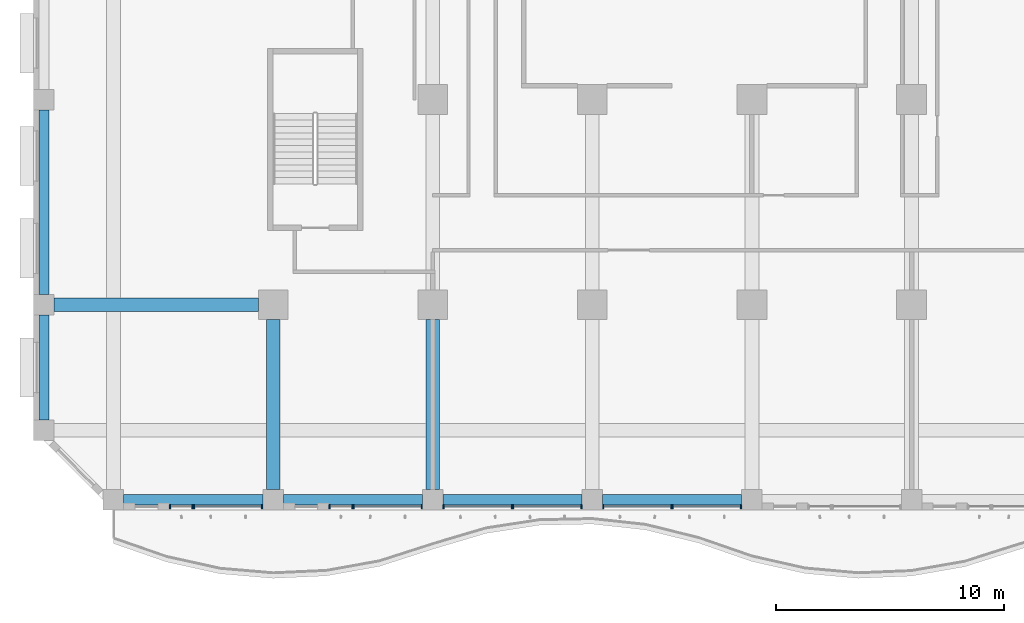
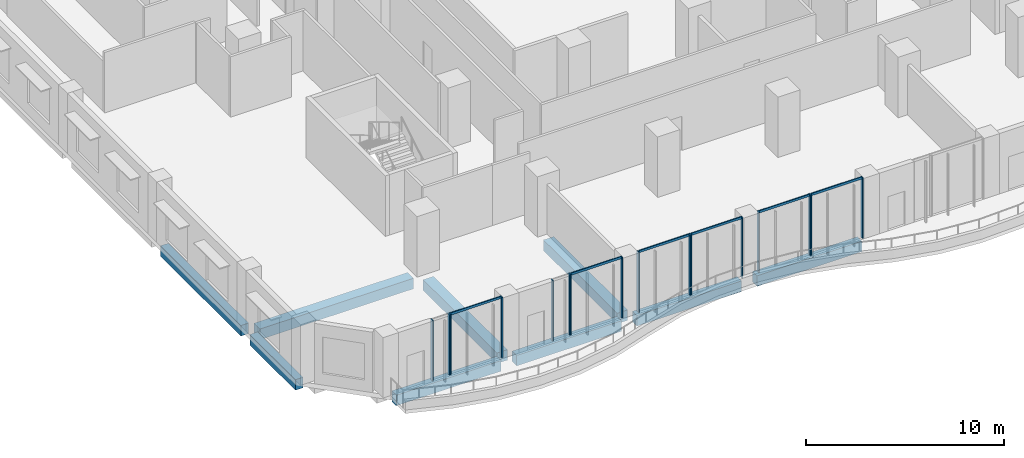
# One storey, part 2 of 27: 22 members, 9 beams, 8 elements without a shape of their own.
"""IFC4 building model written with IfcOpenShell, lengths in metres."""

from ifc_helpers import new_model, si_unit, direction, frame, origin, origin_2d, place, context, subcontext, project, spatial, rectangle, extrude, source, transform, mapped, material, material_profile, profile_set, type_object, element, aggregate, save


model = new_model("IFC4")

# Units and contexts
model_context = context("Model", 3, precision=1e-05, world=origin(), true_north=direction((0.0, 1.0)))
body_context = subcontext(model_context, "Body", "Model", "MODEL_VIEW")
ifc_project = project(units=[si_unit("LENGTHUNIT", "METRE"), si_unit("AREAUNIT", "SQUARE_METRE"), si_unit("VOLUMEUNIT", "CUBIC_METRE"), si_unit("PLANEANGLEUNIT", "RADIAN"), si_unit("MASSUNIT", "GRAM", prefix="KILO")], contexts=[model_context])

# Site, building, storey
site_placement = place(None, origin())
site = spatial("IfcSite", under=ifc_project, at=site_placement, CompositionType="ELEMENT")
building_placement = place(site_placement, origin())
building = spatial("IfcBuilding", under=site, at=building_placement, Name="Kilnfold Tower and Market Hall", CompositionType="ELEMENT")
storey_placement = place(building_placement, frame((0.0, 0.0, 47.0)))
storey = spatial("IfcBuildingStorey", under=building, at=storey_placement, Name="L10", CompositionType="ELEMENT", Elevation=47.0)

# Beams
ifc_material_1 = material(Name="Concrete C45", Category="concrete")
ifc_material_profile_1 = material_profile(ifc_material_1, rectangle(XDim=0.449951171875, YDim=0.64990234375, at=origin_2d()), Name="RC 450x650")
ifc_profile_set_1 = profile_set([ifc_material_profile_1], Name="Concrete C45")
beam_type_1 = type_object("IfcBeamType", Name="EDGE BEAM 450X650 C45", PredefinedType="BEAM", material=ifc_profile_set_1)
shared_shape_1 = source(origin(), body_context, "Body", "SweptSolid", [
    extrude(rectangle(XDim=0.449951171875, YDim=0.64990234375, at=origin_2d()), origin(), (0.0, 0.0, 1.0), 6.10009765625),
])
for number, where, z_axis, x_axis, name in (
    (1, (-24.050048828125, -27.550048828125, -0.60498046875), (1.0, 0.0, 0.0), (0.0, 1.0, 0.0), "Beam EB650-B1.1"),
    (2, (-17.050048828125, -27.550048828125, -0.60498046875), (1.0, 0.0, 0.0), (0.0, 1.0, 0.0), "Beam EB650-B1.54"),
    (3, (-10.050048828125, -27.550048828125, -0.60498046875), (1.0, 0.0, 0.0), (0.0, 1.0, 0.0), "Beam EB650-B1.2"),
    (4, (-3.050048828125, -27.550048828125, -0.60498046875), (1.0, 0.0, 0.0), (0.0, 1.0, 0.0), "Beam EB650-B1.3"),
):
    element("IfcBeam", number, at=place(storey_placement, frame(where, z_axis=z_axis, x_axis=x_axis)), inside=storey, type_object=beam_type_1, Name=name, PredefinedType="BEAM", context=body_context, shape_type="MappedRepresentation", body=[
        mapped(shared_shape_1, transform((0.0, 0.0, 0.0))),
    ])
ifc_material_2 = material(Name="Concrete C45", Category="concrete")
ifc_material_profile_2 = material_profile(ifc_material_2, rectangle(XDim=0.60009765625, YDim=0.64990234375, at=origin_2d()), Name="RC 600x650")
ifc_profile_set_2 = profile_set([ifc_material_profile_2], Name="Concrete C45")
beam_type_2 = type_object("IfcBeamType", Name="BEAM 600X650 C45", PredefinedType="BEAM", material=ifc_profile_set_2)
shared_shape_2 = source(origin(), body_context, "Body", "SweptSolid", [
    extrude(rectangle(XDim=0.60009765625, YDim=0.64990234375, at=origin_2d()), origin(), (0.0, 0.0, 1.0), 8.9501953125),
])
beam_1_placement = place(storey_placement, frame((-27.10009765625, -19.0, -0.60498046875), z_axis=(1.0, 0.0, 0.0), x_axis=(0.0, 1.0, 0.0)))
element("IfcBeam", 5, at=beam_1_placement, inside=storey, type_object=beam_type_2, Name="Beam BB650-B1.7", PredefinedType="BEAM", context=body_context, shape_type="MappedRepresentation", body=[
    mapped(shared_shape_2, transform((0.0, 0.0, 0.0))),
])
shared_shape_3 = source(origin(), body_context, "Body", "SweptSolid", [
    extrude(rectangle(XDim=0.449951171875, YDim=0.64990234375, at=origin_2d()), origin(), (0.0, 0.0, 1.0), 4.60009765625),
])
beam_2_placement = place(storey_placement, frame((-27.550048828125, -24.050048828125, -0.60498046875), z_axis=(0.0, 1.0, 0.0), x_axis=(-1.0, 0.0, 0.0)))
element("IfcBeam", 6, at=beam_2_placement, inside=storey, type_object=beam_type_1, Name="Beam EB650-B1.30", PredefinedType="BEAM", context=body_context, shape_type="MappedRepresentation", body=[
    mapped(shared_shape_3, transform((0.0, 0.0, 0.0))),
])
shared_shape_4 = source(origin(), body_context, "Body", "SweptSolid", [
    extrude(rectangle(XDim=0.449951171875, YDim=0.64990234375, at=origin_2d()), origin(), (0.0, 0.0, 1.0), 8.10009765625),
])
beam_3_placement = place(storey_placement, frame((-27.550048828125, -18.550048828125, -0.60498046875), z_axis=(0.0, 1.0, 0.0), x_axis=(-1.0, 0.0, 0.0)))
element("IfcBeam", 7, at=beam_3_placement, inside=storey, type_object=beam_type_1, Name="Beam EB650-B1.31", PredefinedType="BEAM", context=body_context, shape_type="MappedRepresentation", body=[
    mapped(shared_shape_4, transform((0.0, 0.0, 0.0))),
])
shared_shape_5 = source(origin(), body_context, "Body", "SweptSolid", [
    extrude(rectangle(XDim=0.60009765625, YDim=0.64990234375, at=origin_2d()), origin(), (0.0, 0.0, 1.0), 7.4501953125),
])
for number, where, z_axis, x_axis, name in (
    (8, (-17.5, -27.10009765625, -0.60498046875), (0.0, 1.0, 0.0), (-1.0, 0.0, 0.0), "Beam BB650-B1.36"),
    (9, (-10.5, -27.10009765625, -0.60498046875), (0.0, 1.0, 0.0), (-1.0, 0.0, 0.0), "Beam BB650-B1.40"),
):
    element("IfcBeam", number, at=place(storey_placement, frame(where, z_axis=z_axis, x_axis=x_axis)), inside=storey, type_object=beam_type_2, Name=name, PredefinedType="BEAM", context=body_context, shape_type="MappedRepresentation", body=[
        mapped(shared_shape_5, transform((0.0, 0.0, 0.0))),
    ])

# Curtain wall, members
ifc_material_3 = material(Name="Aluminium and double glazing", Category="aluminium")
curtain_wall_type = type_object("IfcCurtainWallType", Name="CW OF1 VALLEY GLAZING", PredefinedType="NOTDEFINED", material=ifc_material_3)
curtain_wall_1_placement = place(storey_placement, origin())
curtain_wall_1 = element("IfcCurtainWall", 10, at=curtain_wall_1_placement, inside=storey, type_object=curtain_wall_type, Name="Curtain wall CW1 L10 S", PredefinedType="NOTDEFINED")
ifc_material_4 = material(Name="Aluminium", Category="aluminium")
ifc_material_profile_3 = material_profile(ifc_material_4, rectangle(XDim=0.06005859375, YDim=0.179931640625, at=origin_2d()), Name="MULLION 60x180")
ifc_profile_set_3 = profile_set([ifc_material_profile_3], Name="Aluminium")
member_type_1 = type_object("IfcMemberType", Name="MULLION 60X180", PredefinedType="MULLION", material=ifc_profile_set_3)
shared_shape_6 = source(origin(), body_context, "Body", "SweptSolid", [
    extrude(rectangle(XDim=0.06005859375, YDim=0.179931640625, at=origin_2d()), origin(), (0.0, 0.0, 1.0), 3.719970703125),
])
member_1_placement = place(storey_placement, frame((-22.02001953125, -27.85009765625, 0.0), z_axis=(0.0, 0.0, 1.0), x_axis=(1.0, 0.0, 0.0)))
member_1 = element("IfcMember", 11, at=member_1_placement, type_object=member_type_1, Name="CW1 mullion 1", PredefinedType="MULLION", context=body_context, shape_type="MappedRepresentation", body=[
    mapped(shared_shape_6, transform((0.0, 0.0, 0.0))),
])
member_2_placement = place(storey_placement, frame((-21.030029296875, -27.85009765625, 0.0), z_axis=(0.0, 0.0, 1.0), x_axis=(1.0, 0.0, 0.0)))
member_2 = element("IfcMember", 12, at=member_2_placement, type_object=member_type_1, Name="CW1 mullion 2", PredefinedType="MULLION", context=body_context, shape_type="MappedRepresentation", body=[
    mapped(shared_shape_6, transform((0.0, 0.0, 0.0))),
])
aggregate(curtain_wall_1, [member_1, member_2])

curtain_wall_2_placement = place(storey_placement, origin())
curtain_wall_2 = element("IfcCurtainWall", 13, at=curtain_wall_2_placement, inside=storey, type_object=curtain_wall_type, Name="Curtain wall CW1 L10 S", PredefinedType="NOTDEFINED")
member_3_placement = place(storey_placement, frame((-20.969970703125, -27.85009765625, 0.0), z_axis=(0.0, 0.0, 1.0), x_axis=(1.0, 0.0, 0.0)))
member_3 = element("IfcMember", 14, at=member_3_placement, type_object=member_type_1, Name="CW1 mullion 1", PredefinedType="MULLION", context=body_context, shape_type="MappedRepresentation", body=[
    mapped(shared_shape_6, transform((0.0, 0.0, 0.0))),
])
member_4_placement = place(storey_placement, frame((-17.97998046875, -27.85009765625, 0.0), z_axis=(0.0, 0.0, 1.0), x_axis=(1.0, 0.0, 0.0)))
member_4 = element("IfcMember", 15, at=member_4_placement, type_object=member_type_1, Name="CW1 mullion 2", PredefinedType="MULLION", context=body_context, shape_type="MappedRepresentation", body=[
    mapped(shared_shape_6, transform((0.0, 0.0, 0.0))),
])

curtain_wall_3_placement = place(storey_placement, origin())
curtain_wall_3 = element("IfcCurtainWall", 16, at=curtain_wall_3_placement, inside=storey, type_object=curtain_wall_type, Name="Curtain wall CW1 L10 S", PredefinedType="NOTDEFINED")
member_5_placement = place(storey_placement, frame((-15.02001953125, -27.85009765625, 0.0), z_axis=(0.0, 0.0, 1.0), x_axis=(1.0, 0.0, 0.0)))
member_5 = element("IfcMember", 17, at=member_5_placement, type_object=member_type_1, Name="CW1 mullion 1", PredefinedType="MULLION", context=body_context, shape_type="MappedRepresentation", body=[
    mapped(shared_shape_6, transform((0.0, 0.0, 0.0))),
])
member_6_placement = place(storey_placement, frame((-14.030029296875, -27.85009765625, 0.0), z_axis=(0.0, 0.0, 1.0), x_axis=(1.0, 0.0, 0.0)))
member_6 = element("IfcMember", 18, at=member_6_placement, type_object=member_type_1, Name="CW1 mullion 2", PredefinedType="MULLION", context=body_context, shape_type="MappedRepresentation", body=[
    mapped(shared_shape_6, transform((0.0, 0.0, 0.0))),
])
aggregate(curtain_wall_3, [member_5, member_6])

curtain_wall_4_placement = place(storey_placement, origin())
curtain_wall_4 = element("IfcCurtainWall", 19, at=curtain_wall_4_placement, inside=storey, type_object=curtain_wall_type, Name="Curtain wall CW1 L10 S", PredefinedType="NOTDEFINED")
member_7_placement = place(storey_placement, frame((-13.969970703125, -27.85009765625, 0.0), z_axis=(0.0, 0.0, 1.0), x_axis=(1.0, 0.0, 0.0)))
member_7 = element("IfcMember", 20, at=member_7_placement, type_object=member_type_1, Name="CW1 mullion 1", PredefinedType="MULLION", context=body_context, shape_type="MappedRepresentation", body=[
    mapped(shared_shape_6, transform((0.0, 0.0, 0.0))),
])
member_8_placement = place(storey_placement, frame((-10.97998046875, -27.85009765625, 0.0), z_axis=(0.0, 0.0, 1.0), x_axis=(1.0, 0.0, 0.0)))
member_8 = element("IfcMember", 21, at=member_8_placement, type_object=member_type_1, Name="CW1 mullion 2", PredefinedType="MULLION", context=body_context, shape_type="MappedRepresentation", body=[
    mapped(shared_shape_6, transform((0.0, 0.0, 0.0))),
])

curtain_wall_5_placement = place(storey_placement, origin())
curtain_wall_5 = element("IfcCurtainWall", 22, at=curtain_wall_5_placement, inside=storey, type_object=curtain_wall_type, Name="Curtain wall CW1 L10 S", PredefinedType="NOTDEFINED")
member_9_placement = place(storey_placement, frame((-10.02001953125, -27.85009765625, 0.0), z_axis=(0.0, 0.0, 1.0), x_axis=(1.0, 0.0, 0.0)))
member_9 = element("IfcMember", 23, at=member_9_placement, type_object=member_type_1, Name="CW1 mullion 1", PredefinedType="MULLION", context=body_context, shape_type="MappedRepresentation", body=[
    mapped(shared_shape_6, transform((0.0, 0.0, 0.0))),
])
member_10_placement = place(storey_placement, frame((-7.030029296875, -27.85009765625, 0.0), z_axis=(0.0, 0.0, 1.0), x_axis=(1.0, 0.0, 0.0)))
member_10 = element("IfcMember", 24, at=member_10_placement, type_object=member_type_1, Name="CW1 mullion 2", PredefinedType="MULLION", context=body_context, shape_type="MappedRepresentation", body=[
    mapped(shared_shape_6, transform((0.0, 0.0, 0.0))),
])

curtain_wall_6_placement = place(storey_placement, origin())
curtain_wall_6 = element("IfcCurtainWall", 25, at=curtain_wall_6_placement, inside=storey, type_object=curtain_wall_type, Name="Curtain wall CW1 L10 S", PredefinedType="NOTDEFINED")
member_11_placement = place(storey_placement, frame((-6.969970703125, -27.85009765625, 0.0), z_axis=(0.0, 0.0, 1.0), x_axis=(1.0, 0.0, 0.0)))
member_11 = element("IfcMember", 26, at=member_11_placement, type_object=member_type_1, Name="CW1 mullion 1", PredefinedType="MULLION", context=body_context, shape_type="MappedRepresentation", body=[
    mapped(shared_shape_6, transform((0.0, 0.0, 0.0))),
])
member_12_placement = place(storey_placement, frame((-3.97998046875, -27.85009765625, 0.0), z_axis=(0.0, 0.0, 1.0), x_axis=(1.0, 0.0, 0.0)))
member_12 = element("IfcMember", 27, at=member_12_placement, type_object=member_type_1, Name="CW1 mullion 2", PredefinedType="MULLION", context=body_context, shape_type="MappedRepresentation", body=[
    mapped(shared_shape_6, transform((0.0, 0.0, 0.0))),
])

curtain_wall_7_placement = place(storey_placement, origin())
curtain_wall_7 = element("IfcCurtainWall", 28, at=curtain_wall_7_placement, inside=storey, type_object=curtain_wall_type, Name="Curtain wall CW1 L10 S", PredefinedType="NOTDEFINED")
member_13_placement = place(storey_placement, frame((-3.02001953125, -27.85009765625, 0.0), z_axis=(0.0, 0.0, 1.0), x_axis=(1.0, 0.0, 0.0)))
member_13 = element("IfcMember", 29, at=member_13_placement, type_object=member_type_1, Name="CW1 mullion 1", PredefinedType="MULLION", context=body_context, shape_type="MappedRepresentation", body=[
    mapped(shared_shape_6, transform((0.0, 0.0, 0.0))),
])
member_14_placement = place(storey_placement, frame((-0.030029296875, -27.85009765625, 0.0), z_axis=(0.0, 0.0, 1.0), x_axis=(1.0, 0.0, 0.0)))
member_14 = element("IfcMember", 30, at=member_14_placement, type_object=member_type_1, Name="CW1 mullion 2", PredefinedType="MULLION", context=body_context, shape_type="MappedRepresentation", body=[
    mapped(shared_shape_6, transform((0.0, 0.0, 0.0))),
])

curtain_wall_8_placement = place(storey_placement, origin())
curtain_wall_8 = element("IfcCurtainWall", 31, at=curtain_wall_8_placement, inside=storey, type_object=curtain_wall_type, Name="Curtain wall CW1 L10 S", PredefinedType="NOTDEFINED")
member_15_placement = place(storey_placement, frame((0.030029296875, -27.85009765625, 0.0), z_axis=(0.0, 0.0, 1.0), x_axis=(1.0, 0.0, 0.0)))
member_15 = element("IfcMember", 32, at=member_15_placement, type_object=member_type_1, Name="CW1 mullion 1", PredefinedType="MULLION", context=body_context, shape_type="MappedRepresentation", body=[
    mapped(shared_shape_6, transform((0.0, 0.0, 0.0))),
])
member_16_placement = place(storey_placement, frame((3.02001953125, -27.85009765625, 0.0), z_axis=(0.0, 0.0, 1.0), x_axis=(1.0, 0.0, 0.0)))
member_16 = element("IfcMember", 33, at=member_16_placement, type_object=member_type_1, Name="CW1 mullion 2", PredefinedType="MULLION", context=body_context, shape_type="MappedRepresentation", body=[
    mapped(shared_shape_6, transform((0.0, 0.0, 0.0))),
])

# Member
ifc_material_5 = material(Name="Aluminium", Category="aluminium")
ifc_material_profile_4 = material_profile(ifc_material_5, rectangle(XDim=0.06005859375, YDim=0.139892578125, at=origin_2d()), Name="TRANSOM 60x140")
ifc_profile_set_4 = profile_set([ifc_material_profile_4], Name="Aluminium")
member_type_2 = type_object("IfcMemberType", Name="TRANSOM 60X140", PredefinedType="USERDEFINED", material=ifc_profile_set_4)
shared_shape_7 = source(origin(), body_context, "Body", "SweptSolid", [
    extrude(rectangle(XDim=0.06005859375, YDim=0.139892578125, at=origin_2d()), origin(), (0.0, 0.0, 1.0), 2.929931640625),
])
member_17_placement = place(storey_placement, frame((-20.93994140625, -27.85009765625, 3.68994140625), z_axis=(1.0, 0.0, 0.0), x_axis=(0.0, 1.0, 0.0)))
member_17 = element("IfcMember", 34, at=member_17_placement, type_object=member_type_2, Name="CW1 transom 1.2", ObjectType="TRANSOM", PredefinedType="USERDEFINED", context=body_context, shape_type="MappedRepresentation", body=[
    mapped(shared_shape_7, transform((0.0, 0.0, 0.0))),
])

aggregate(curtain_wall_2, [member_3, member_4, member_17])

member_18_placement = place(storey_placement, frame((-13.93994140625, -27.85009765625, 3.68994140625), z_axis=(1.0, 0.0, 0.0), x_axis=(0.0, 1.0, 0.0)))
member_18 = element("IfcMember", 35, at=member_18_placement, type_object=member_type_2, Name="CW1 transom 1.2", ObjectType="TRANSOM", PredefinedType="USERDEFINED", context=body_context, shape_type="MappedRepresentation", body=[
    mapped(shared_shape_7, transform((0.0, 0.0, 0.0))),
])

aggregate(curtain_wall_4, [member_7, member_8, member_18])

member_19_placement = place(storey_placement, frame((-9.989990234375, -27.85009765625, 3.68994140625), z_axis=(1.0, 0.0, 0.0), x_axis=(0.0, 1.0, 0.0)))
member_19 = element("IfcMember", 36, at=member_19_placement, type_object=member_type_2, Name="CW1 transom 1.2", ObjectType="TRANSOM", PredefinedType="USERDEFINED", context=body_context, shape_type="MappedRepresentation", body=[
    mapped(shared_shape_7, transform((0.0, 0.0, 0.0))),
])

aggregate(curtain_wall_5, [member_9, member_10, member_19])

member_20_placement = place(storey_placement, frame((-6.93994140625, -27.85009765625, 3.68994140625), z_axis=(1.0, 0.0, 0.0), x_axis=(0.0, 1.0, 0.0)))
member_20 = element("IfcMember", 37, at=member_20_placement, type_object=member_type_2, Name="CW1 transom 1.2", ObjectType="TRANSOM", PredefinedType="USERDEFINED", context=body_context, shape_type="MappedRepresentation", body=[
    mapped(shared_shape_7, transform((0.0, 0.0, 0.0))),
])

aggregate(curtain_wall_6, [member_11, member_12, member_20])

member_21_placement = place(storey_placement, frame((-2.989990234375, -27.85009765625, 3.68994140625), z_axis=(1.0, 0.0, 0.0), x_axis=(0.0, 1.0, 0.0)))
member_21 = element("IfcMember", 38, at=member_21_placement, type_object=member_type_2, Name="CW1 transom 1.2", ObjectType="TRANSOM", PredefinedType="USERDEFINED", context=body_context, shape_type="MappedRepresentation", body=[
    mapped(shared_shape_7, transform((0.0, 0.0, 0.0))),
])

aggregate(curtain_wall_7, [member_13, member_14, member_21])

member_22_placement = place(storey_placement, frame((0.06005859375, -27.85009765625, 3.68994140625), z_axis=(1.0, 0.0, 0.0), x_axis=(0.0, 1.0, 0.0)))
member_22 = element("IfcMember", 39, at=member_22_placement, type_object=member_type_2, Name="CW1 transom 1.2", ObjectType="TRANSOM", PredefinedType="USERDEFINED", context=body_context, shape_type="MappedRepresentation", body=[
    mapped(shared_shape_7, transform((0.0, 0.0, 0.0))),
])

aggregate(curtain_wall_8, [member_15, member_16, member_22])

save(model, "model.ifc")
